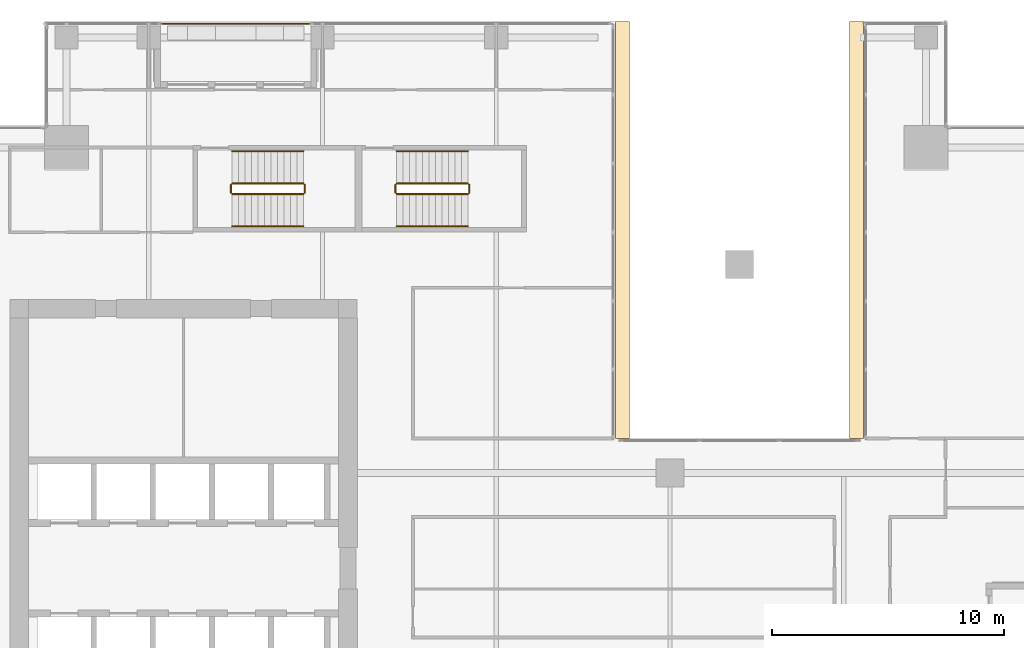
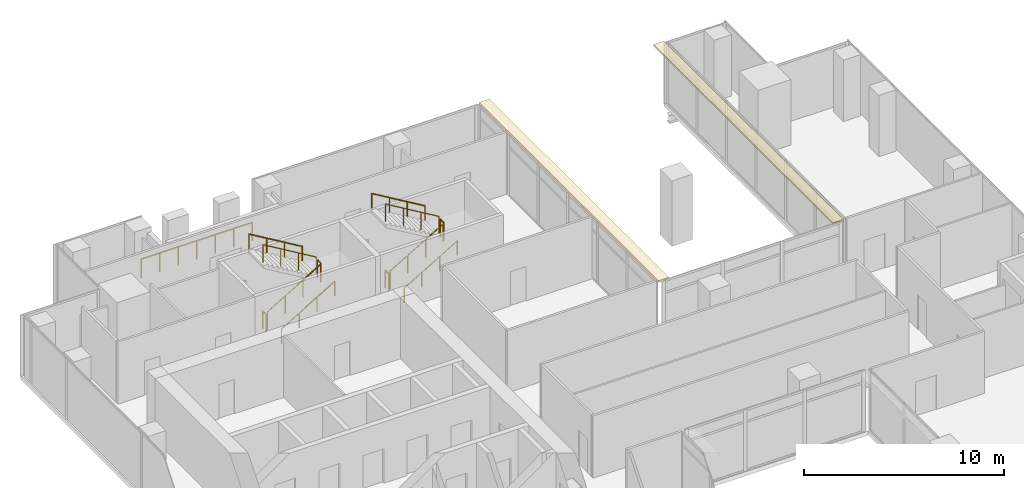
# One storey, part 37 of 38: 13 railings, 2 coverings.
"""IFC4 building model written with IfcOpenShell, lengths in metres."""

from ifc_helpers import new_model, si_unit, direction, frame, origin, origin_2d, place, context, subcontext, project, spatial, polyline, circle, outline, extrude, source, transform, mapped, material, layer, layer_set, type_object, element, save


model = new_model("IFC4")

# Units and contexts
model_context = context("Model", 3, precision=1e-05, world=origin(), true_north=direction((0.0, 1.0)))
body_context = subcontext(model_context, "Body", "Model", "MODEL_VIEW")
ifc_project = project(units=[si_unit("LENGTHUNIT", "METRE"), si_unit("AREAUNIT", "SQUARE_METRE"), si_unit("VOLUMEUNIT", "CUBIC_METRE"), si_unit("PLANEANGLEUNIT", "RADIAN"), si_unit("MASSUNIT", "GRAM", prefix="KILO")], contexts=[model_context])

# Site, building, storey
site_placement = place(None, origin())
site = spatial("IfcSite", under=ifc_project, at=site_placement, CompositionType="ELEMENT")
building_placement = place(site_placement, origin())
building = spatial("IfcBuilding", under=site, at=building_placement, Name="Khomas Fold Tower", CompositionType="ELEMENT")
storey_placement = place(building_placement, frame((0.0, 0.0, 172.699951171875)))
storey = spatial("IfcBuildingStorey", under=building, at=storey_placement, Name="L37", CompositionType="ELEMENT", Elevation=172.699951171875)

# Railing
ifc_material_1 = material(Name="Powder-coated steel", Category="steel")
railing_type_1 = type_object("IfcRailingType", Name="Balcony guard", PredefinedType="GUARDRAIL", material=ifc_material_1)
shared_shape_1 = source(origin(), body_context, "Body", "SweptSolid", [
    extrude(circle(Radius=0.02490234375, at=origin_2d()), frame((0.0, 0.0, 1.125), z_axis=(1.0, 0.0, 0.0), x_axis=(0.0, 1.0, 0.0)), (0.0, 0.0, 1.0), 6.43994140625),
    extrude(circle(Radius=0.02001953125, at=origin_2d()), origin(), (0.0, 0.0, 1.0), 1.099853515625),
    extrude(circle(Radius=0.02001953125, at=origin_2d()), frame((1.0732421875, 0.0, 0.0)), (0.0, 0.0, 1.0), 1.099853515625),
    extrude(circle(Radius=0.02001953125, at=origin_2d()), frame((2.146728515625, 0.0, 0.0)), (0.0, 0.0, 1.0), 1.099853515625),
    extrude(circle(Radius=0.02001953125, at=origin_2d()), frame((3.219970703125, 0.0, 0.0)), (0.0, 0.0, 1.0), 1.099853515625),
    extrude(circle(Radius=0.02001953125, at=origin_2d()), frame((4.293212890625, 0.0, 0.0)), (0.0, 0.0, 1.0), 1.099853515625),
    extrude(circle(Radius=0.02001953125, at=origin_2d()), frame((5.36669921875, 0.0, 0.0)), (0.0, 0.0, 1.0), 1.099853515625),
    extrude(circle(Radius=0.02001953125, at=origin_2d()), frame((6.43994140625, 0.0, 0.0)), (0.0, 0.0, 1.0), 1.099853515625),
])
railing_1_placement = place(storey_placement, frame((12.530029296875, 50.89990234375, -0.044921875)))
element("IfcRailing", 1, at=railing_1_placement, inside=storey, type_object=railing_type_1, Name="Balcony guard BAL-L37-N1", PredefinedType="GUARDRAIL", context=body_context, shape_type="MappedRepresentation", body=[
    mapped(shared_shape_1, transform((0.0, 0.0, 0.0))),
])

# Coverings
ifc_material_2 = material(Name="Natural stone cladding", Category="masonry")
ifc_layer = layer(ifc_material_2, 0.1201171875)
ifc_layer_set = layer_set([ifc_layer], Name="Natural stone cladding")
covering_type = type_object("IfcCoveringType", Name="Notch soffit stone GN-SF", PredefinedType="CLADDING", material=ifc_layer_set)
shared_shape_2 = source(origin(), body_context, "Body", "SweptSolid", [
    extrude(outline(polyline([(42.25, 51.0), (42.25, 33.0), (42.85009765625, 33.0), (42.85009765625, 51.0), (42.25, 51.0)])), origin(), (0.0, 0.0, 1.0), 0.119873046875),
])
covering_1_placement = place(storey_placement, frame((0.0, 0.0, 3.630126953125)))
element("IfcCovering", 2, at=covering_1_placement, inside=storey, type_object=covering_type, Name="Notch soffit stone", PredefinedType="CLADDING", context=body_context, shape_type="MappedRepresentation", body=[
    mapped(shared_shape_2, transform((0.0, 0.0, 0.0))),
])
shared_shape_3 = source(origin(), body_context, "Body", "SweptSolid", [
    extrude(outline(polyline([(32.75, 33.0), (32.75, 51.0), (32.14990234375, 51.0), (32.14990234375, 33.0), (32.75, 33.0)])), origin(), (0.0, 0.0, 1.0), 0.119873046875),
])
covering_2_placement = place(storey_placement, frame((0.0, 0.0, 3.630126953125)))
element("IfcCovering", 3, at=covering_2_placement, inside=storey, type_object=covering_type, Name="Notch soffit stone", PredefinedType="CLADDING", context=body_context, shape_type="MappedRepresentation", body=[
    mapped(shared_shape_3, transform((0.0, 0.0, 0.0))),
])

# Railings
ifc_material_3 = material(Name="Steel balustrade", Category="steel")
railing_type_2 = type_object("IfcRailingType", Name="Stair guard", PredefinedType="GUARDRAIL", material=ifc_material_3)
shared_shape_4 = source(origin(), body_context, "Body", "SweptSolid", [
    extrude(circle(Radius=0.02392578125, at=origin_2d()), frame((0.0, 0.0, 1.076171875), z_axis=(0.0, 1.0, 0.0), x_axis=(-1.0, 0.0, 0.0)), (0.0, 0.0, 1.0), 0.349853515625),
    extrude(circle(Radius=0.02099609375, at=origin_2d()), origin(), (0.0, 0.0, 1.0), 1.052001953125),
    extrude(circle(Radius=0.02099609375, at=origin_2d()), frame((0.0, 0.349853515625, 0.0)), (0.0, 0.0, 1.0), 1.052001953125),
])
for number, where, name in (
    (4, (18.72998046875, 43.60009765625, 2.0), "L37 ST1 stair guard 2"),
    (5, (15.550048828125, 43.60009765625, 0.0), "L37 ST1 stair guard 4"),
    (6, (25.830078125, 43.60009765625, 2.0), "L37 ST3 stair guard 2"),
    (7, (22.64990234375, 43.60009765625, 0.0), "L37 ST3 stair guard 4"),
):
    element("IfcRailing", number, at=place(storey_placement, frame(where)), inside=storey, type_object=railing_type_2, Name=name, PredefinedType="GUARDRAIL", context=body_context, shape_type="MappedRepresentation", body=[
        mapped(shared_shape_4, transform((0.0, 0.0, 0.0))),
    ])
shared_shape_5 = source(origin(), body_context, "Body", "SweptSolid", [
    extrude(circle(Radius=0.02392578125, at=origin_2d()), frame((0.0, 0.0, 1.076171875), z_axis=(0.859290745958, 0.0, 0.51148745235), x_axis=(0.0, 1.0, 0.0)), (0.0, 0.0, 1.0), 3.584228515625),
    extrude(circle(Radius=0.02099609375, at=origin_2d()), origin(), (0.0, 0.0, 1.0), 1.052001953125),
    extrude(circle(Radius=0.02099609375, at=origin_2d()), frame((1.026611328125, 0.0, 0.611083984375)), (0.0, 0.0, 1.0), 1.052001953125),
    extrude(circle(Radius=0.02099609375, at=origin_2d()), frame((2.05322265625, 0.0, 1.22216796875)), (0.0, 0.0, 1.0), 1.052001953125),
    extrude(circle(Radius=0.02099609375, at=origin_2d()), frame((3.079833984375, 0.0, 1.833251953125)), (0.0, 0.0, 1.0), 1.052001953125),
])
railing_2_placement = place(storey_placement, frame((15.60009765625, 43.550048828125, 0.166748046875)))
element("IfcRailing", 8, at=railing_2_placement, inside=storey, type_object=railing_type_2, Name="L37 ST1 stair guard 1", PredefinedType="GUARDRAIL", context=body_context, shape_type="MappedRepresentation", body=[
    mapped(shared_shape_5, transform((0.0, 0.0, 0.0))),
])
shared_shape_6 = source(origin(), body_context, "Body", "SweptSolid", [
    extrude(circle(Radius=0.02392578125, at=origin_2d()), frame((0.0, 0.0, 1.076171875), z_axis=(-0.859290745958, 0.0, 0.51148745235), x_axis=(0.0, -1.0, 0.0)), (0.0, 0.0, 1.0), 3.584228515625),
    extrude(circle(Radius=0.02099609375, at=origin_2d()), origin(), (0.0, 0.0, 1.0), 1.052001953125),
    extrude(circle(Radius=0.02099609375, at=origin_2d()), frame((-1.026611328125, 0.0, 0.611083984375)), (0.0, 0.0, 1.0), 1.052001953125),
    extrude(circle(Radius=0.02099609375, at=origin_2d()), frame((-2.05322265625, 0.0, 1.22216796875)), (0.0, 0.0, 1.0), 1.052001953125),
    extrude(circle(Radius=0.02099609375, at=origin_2d()), frame((-3.079833984375, 0.0, 1.833251953125)), (0.0, 0.0, 1.0), 1.052001953125),
])
railing_3_placement = place(storey_placement, frame((18.679931640625, 44.0, 2.166748046875)))
element("IfcRailing", 9, at=railing_3_placement, inside=storey, type_object=railing_type_2, Name="L37 ST1 stair guard 3", PredefinedType="GUARDRAIL", context=body_context, shape_type="MappedRepresentation", body=[
    mapped(shared_shape_6, transform((0.0, 0.0, 0.0))),
])
ifc_material_4 = material(Name="Steel handrail", Category="steel")
railing_type_3 = type_object("IfcRailingType", Name="Stair handrail", PredefinedType="HANDRAIL", material=ifc_material_4)
shared_shape_7 = source(origin(), body_context, "Body", "SweptSolid", [
    extrude(circle(Radius=0.02392578125, at=origin_2d()), frame((0.0, 0.0, 0.8759765625), z_axis=(0.859290745958, 0.0, 0.51148745235), x_axis=(0.0, 1.0, 0.0)), (0.0, 0.0, 1.0), 3.584228515625),
    extrude(circle(Radius=0.02099609375, at=origin_2d()), origin(), (0.0, 0.0, 1.0), 0.851806640625),
    extrude(circle(Radius=0.02099609375, at=origin_2d()), frame((1.026611328125, 0.0, 0.611083984375)), (0.0, 0.0, 1.0), 0.851806640625),
    extrude(circle(Radius=0.02099609375, at=origin_2d()), frame((2.05322265625, 0.0, 1.22216796875)), (0.0, 0.0, 1.0), 0.851806640625),
    extrude(circle(Radius=0.02099609375, at=origin_2d()), frame((3.079833984375, 0.0, 1.833251953125)), (0.0, 0.0, 1.0), 0.851806640625),
])
railing_4_placement = place(storey_placement, frame((15.60009765625, 42.14990234375, 0.166748046875)))
element("IfcRailing", 10, at=railing_4_placement, inside=storey, type_object=railing_type_3, Name="L37 ST1 stair handrail 1", PredefinedType="HANDRAIL", context=body_context, shape_type="MappedRepresentation", body=[
    mapped(shared_shape_7, transform((0.0, 0.0, 0.0))),
])
shared_shape_8 = source(origin(), body_context, "Body", "SweptSolid", [
    extrude(circle(Radius=0.02392578125, at=origin_2d()), frame((0.0, 0.0, 0.8759765625), z_axis=(-0.859290745958, 0.0, 0.51148745235), x_axis=(0.0, -1.0, 0.0)), (0.0, 0.0, 1.0), 3.584228515625),
    extrude(circle(Radius=0.02099609375, at=origin_2d()), origin(), (0.0, 0.0, 1.0), 0.851806640625),
    extrude(circle(Radius=0.02099609375, at=origin_2d()), frame((-1.026611328125, 0.0, 0.611083984375)), (0.0, 0.0, 1.0), 0.851806640625),
    extrude(circle(Radius=0.02099609375, at=origin_2d()), frame((-2.05322265625, 0.0, 1.22216796875)), (0.0, 0.0, 1.0), 0.851806640625),
    extrude(circle(Radius=0.02099609375, at=origin_2d()), frame((-3.079833984375, 0.0, 1.833251953125)), (0.0, 0.0, 1.0), 0.851806640625),
])
railing_5_placement = place(storey_placement, frame((18.679931640625, 45.39990234375, 2.166748046875)))
element("IfcRailing", 11, at=railing_5_placement, inside=storey, type_object=railing_type_3, Name="L37 ST1 stair handrail 2", PredefinedType="HANDRAIL", context=body_context, shape_type="MappedRepresentation", body=[
    mapped(shared_shape_8, transform((0.0, 0.0, 0.0))),
])
shared_shape_9 = source(origin(), body_context, "Body", "SweptSolid", [
    extrude(circle(Radius=0.02392578125, at=origin_2d()), frame((0.0, 0.0, 1.076171875), z_axis=(0.859308565015, 0.0, 0.511457515432), x_axis=(0.0, 1.0, 0.0)), (0.0, 0.0, 1.0), 3.58447265625),
    extrude(circle(Radius=0.02099609375, at=origin_2d()), origin(), (0.0, 0.0, 1.0), 1.052001953125),
    extrude(circle(Radius=0.02099609375, at=origin_2d()), frame((1.026611328125, 0.0, 0.611083984375)), (0.0, 0.0, 1.0), 1.052001953125),
    extrude(circle(Radius=0.02099609375, at=origin_2d()), frame((2.053466796875, 0.0, 1.22216796875)), (0.0, 0.0, 1.0), 1.052001953125),
    extrude(circle(Radius=0.02099609375, at=origin_2d()), frame((3.080078125, 0.0, 1.833251953125)), (0.0, 0.0, 1.0), 1.052001953125),
])
railing_6_placement = place(storey_placement, frame((22.699951171875, 43.550048828125, 0.166748046875)))
element("IfcRailing", 12, at=railing_6_placement, inside=storey, type_object=railing_type_2, Name="L37 ST3 stair guard 1", PredefinedType="GUARDRAIL", context=body_context, shape_type="MappedRepresentation", body=[
    mapped(shared_shape_9, transform((0.0, 0.0, 0.0))),
])
shared_shape_10 = source(origin(), body_context, "Body", "SweptSolid", [
    extrude(circle(Radius=0.02392578125, at=origin_2d()), frame((0.0, 0.0, 1.076171875), z_axis=(-0.859308565015, 0.0, 0.511457515432), x_axis=(0.0, -1.0, 0.0)), (0.0, 0.0, 1.0), 3.58447265625),
    extrude(circle(Radius=0.02099609375, at=origin_2d()), origin(), (0.0, 0.0, 1.0), 1.052001953125),
    extrude(circle(Radius=0.02099609375, at=origin_2d()), frame((-1.026611328125, 0.0, 0.611083984375)), (0.0, 0.0, 1.0), 1.052001953125),
    extrude(circle(Radius=0.02099609375, at=origin_2d()), frame((-2.053466796875, 0.0, 1.22216796875)), (0.0, 0.0, 1.0), 1.052001953125),
    extrude(circle(Radius=0.02099609375, at=origin_2d()), frame((-3.080078125, 0.0, 1.833251953125)), (0.0, 0.0, 1.0), 1.052001953125),
])
railing_7_placement = place(storey_placement, frame((25.780029296875, 44.0, 2.166748046875)))
element("IfcRailing", 13, at=railing_7_placement, inside=storey, type_object=railing_type_2, Name="L37 ST3 stair guard 3", PredefinedType="GUARDRAIL", context=body_context, shape_type="MappedRepresentation", body=[
    mapped(shared_shape_10, transform((0.0, 0.0, 0.0))),
])
shared_shape_11 = source(origin(), body_context, "Body", "SweptSolid", [
    extrude(circle(Radius=0.02392578125, at=origin_2d()), frame((0.0, 0.0, 0.8759765625), z_axis=(0.859308565015, 0.0, 0.511457515432), x_axis=(0.0, 1.0, 0.0)), (0.0, 0.0, 1.0), 3.58447265625),
    extrude(circle(Radius=0.02099609375, at=origin_2d()), origin(), (0.0, 0.0, 1.0), 0.851806640625),
    extrude(circle(Radius=0.02099609375, at=origin_2d()), frame((1.026611328125, 0.0, 0.611083984375)), (0.0, 0.0, 1.0), 0.851806640625),
    extrude(circle(Radius=0.02099609375, at=origin_2d()), frame((2.053466796875, 0.0, 1.22216796875)), (0.0, 0.0, 1.0), 0.851806640625),
    extrude(circle(Radius=0.02099609375, at=origin_2d()), frame((3.080078125, 0.0, 1.833251953125)), (0.0, 0.0, 1.0), 0.851806640625),
])
railing_8_placement = place(storey_placement, frame((22.699951171875, 42.14990234375, 0.166748046875)))
element("IfcRailing", 14, at=railing_8_placement, inside=storey, type_object=railing_type_3, Name="L37 ST3 stair handrail 1", PredefinedType="HANDRAIL", context=body_context, shape_type="MappedRepresentation", body=[
    mapped(shared_shape_11, transform((0.0, 0.0, 0.0))),
])
shared_shape_12 = source(origin(), body_context, "Body", "SweptSolid", [
    extrude(circle(Radius=0.02392578125, at=origin_2d()), frame((0.0, 0.0, 0.8759765625), z_axis=(-0.859308565015, 0.0, 0.511457515432), x_axis=(0.0, -1.0, 0.0)), (0.0, 0.0, 1.0), 3.58447265625),
    extrude(circle(Radius=0.02099609375, at=origin_2d()), origin(), (0.0, 0.0, 1.0), 0.851806640625),
    extrude(circle(Radius=0.02099609375, at=origin_2d()), frame((-1.026611328125, 0.0, 0.611083984375)), (0.0, 0.0, 1.0), 0.851806640625),
    extrude(circle(Radius=0.02099609375, at=origin_2d()), frame((-2.053466796875, 0.0, 1.22216796875)), (0.0, 0.0, 1.0), 0.851806640625),
    extrude(circle(Radius=0.02099609375, at=origin_2d()), frame((-3.080078125, 0.0, 1.833251953125)), (0.0, 0.0, 1.0), 0.851806640625),
])
railing_9_placement = place(storey_placement, frame((25.780029296875, 45.39990234375, 2.166748046875)))
element("IfcRailing", 15, at=railing_9_placement, inside=storey, type_object=railing_type_3, Name="L37 ST3 stair handrail 2", PredefinedType="HANDRAIL", context=body_context, shape_type="MappedRepresentation", body=[
    mapped(shared_shape_12, transform((0.0, 0.0, 0.0))),
])

save(model, "model.ifc")
